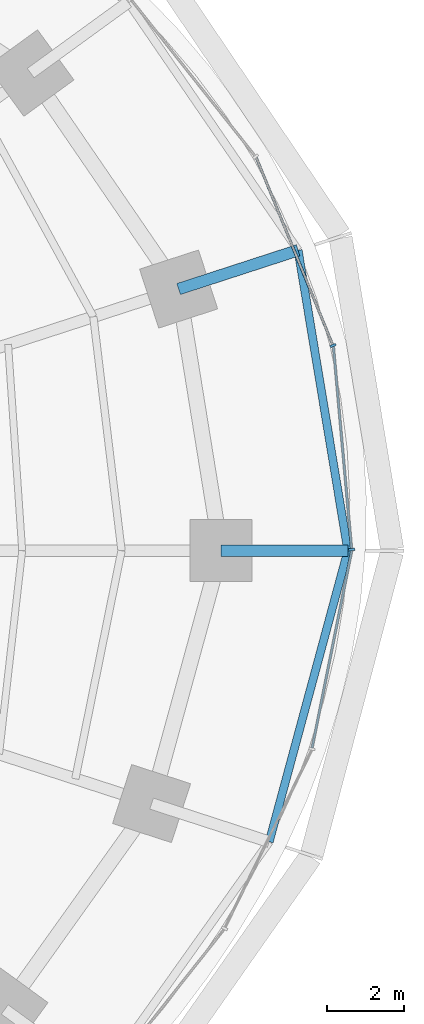
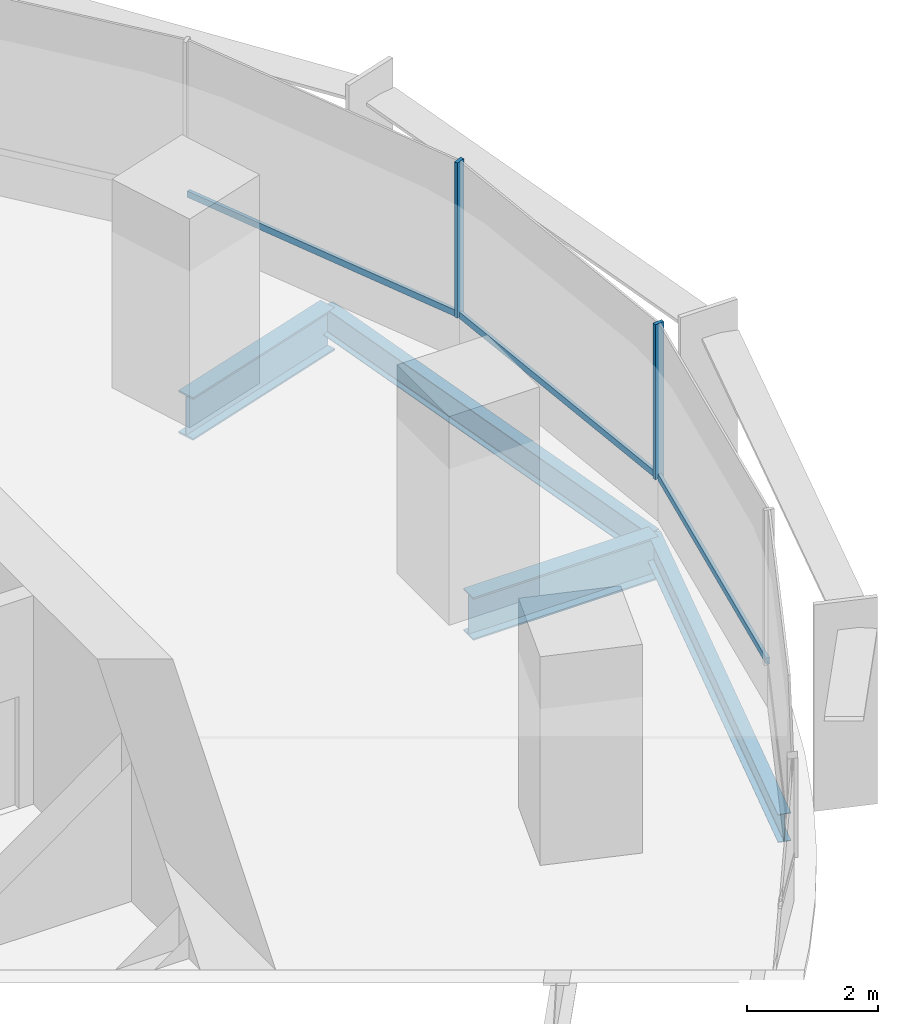
# One storey, part 6 of 14: 5 members, 4 beams, 2 elements without a shape of their own.
"""IFC4 building model written with IfcOpenShell, lengths in metres."""

from ifc_helpers import new_model, si_unit, direction, frame, origin, origin_2d, place, context, subcontext, project, spatial, rectangle, i_section, extrude, material, material_profile, profile_set, type_object, element, aggregate, save


model = new_model("IFC4")

# Units and contexts
model_context = context("Model", 3, precision=1e-05, world=origin(), true_north=direction((0.0, 1.0)))
body_context = subcontext(model_context, "Body", "Model", "MODEL_VIEW")
ifc_project = project(units=[si_unit("LENGTHUNIT", "METRE"), si_unit("AREAUNIT", "SQUARE_METRE"), si_unit("VOLUMEUNIT", "CUBIC_METRE"), si_unit("PLANEANGLEUNIT", "RADIAN"), si_unit("MASSUNIT", "GRAM", prefix="KILO")], contexts=[model_context])

# Site, building, storey
site_placement = place(None, origin())
site = spatial("IfcSite", under=ifc_project, at=site_placement, CompositionType="ELEMENT")
building_placement = place(site_placement, origin())
building = spatial("IfcBuilding", under=site, at=building_placement, Name="Marramba Exchange Tower", CompositionType="ELEMENT")
storey_placement = place(building_placement, frame((0.0, 0.0, 162.60009765625)))
storey = spatial("IfcBuildingStorey", under=building, at=storey_placement, Name="L39", CompositionType="ELEMENT", Elevation=162.60009765625)

# Beams
ifc_material_1 = material(Name="Steel AS/NZS 3679.2 grade 300", Category="steel")
ifc_material_profile_1 = material_profile(ifc_material_1, i_section(OverallWidth=0.300048828125, OverallDepth=0.800048828125, WebThickness=0.013916015625, FlangeThickness=0.031982421875, at=origin_2d()), Name="800WB192")
ifc_profile_set_1 = profile_set([ifc_material_profile_1], Name="Steel AS/NZS 3679.2 grade 300")
beam_type_1 = type_object("IfcBeamType", Name="Cantilever girder 800WB192", PredefinedType="BEAM", material=ifc_profile_set_1)
beam_1_placement = place(storey_placement, frame((21.89990234375, 0.0, -0.56005859375), z_axis=(1.0, 0.0, 0.0), x_axis=(0.0, 1.0, 0.0)))
element("IfcBeam", 1, at=beam_1_placement, inside=storey, type_object=beam_type_1, Name="Cantilever girder L39 TC01", PredefinedType="BEAM", context=body_context, shape_type="SweptSolid", body=[
    extrude(i_section(OverallWidth=0.300048828125, OverallDepth=0.800048828125, WebThickness=0.013916015625, FlangeThickness=0.031982421875, at=origin_2d()), origin(), (0.0, 0.0, 1.0), 3.281982421875),
])
beam_2_placement = place(storey_placement, frame((20.808349609375, 6.760986328125, -0.56005859375), z_axis=(0.95105562578, 0.309019735087, 0.0), x_axis=(-0.309019735087, 0.95105562578, 0.0)))
element("IfcBeam", 2, at=beam_2_placement, inside=storey, type_object=beam_type_1, Name="Cantilever girder L39 TC02", PredefinedType="BEAM", context=body_context, shape_type="SweptSolid", body=[
    extrude(i_section(OverallWidth=0.300048828125, OverallDepth=0.800048828125, WebThickness=0.013916015625, FlangeThickness=0.031982421875, at=origin_2d()), origin(), (0.0, 0.0, 1.0), 3.24560546875),
])

# Curtain wall, members
ifc_material_2 = material(Name="Aluminium framing, bronze anodised", Category="aluminium")
curtain_wall_type = type_object("IfcCurtainWallType", Name="Office ribbon curtain wall", PredefinedType="USERDEFINED", material=ifc_material_2)
curtain_wall_1_placement = place(storey_placement, origin())
curtain_wall_1 = element("IfcCurtainWall", 3, at=curtain_wall_1_placement, inside=storey, type_object=curtain_wall_type, Name="Curtain wall CW4 L39 F01-F05", ObjectType="RIBBON CURTAIN WALL", PredefinedType="USERDEFINED")
ifc_material_3 = material(Name="Aluminium mullion, bronze anodised", Category="aluminium")
ifc_material_profile_2 = material_profile(ifc_material_3, rectangle(XDim=0.159912109375, YDim=0.06005859375, at=origin_2d()), Name="CW4 mullion 60x160")
ifc_profile_set_2 = profile_set([ifc_material_profile_2], Name="Aluminium mullion, bronze anodised")
member_type_1 = type_object("IfcMemberType", Name="Office ribbon curtain wall mullion", PredefinedType="MULLION", material=ifc_profile_set_2)
member_1_placement = place(storey_placement, frame((25.279296875, 0.02978515625, 0.7998046875), z_axis=(0.0, 0.0, 1.0), x_axis=(-0.995994646311, -0.089412887889, 0.0)))
member_1 = element("IfcMember", 4, at=member_1_placement, type_object=member_type_1, Name="CW4 mullion 1", PredefinedType="MULLION", context=body_context, shape_type="SweptSolid", body=[
    extrude(rectangle(XDim=0.159912109375, YDim=0.06005859375, at=origin_2d()), origin(), (0.0, 0.0, 1.0), 2.900146484375),
])
member_2_placement = place(storey_placement, frame((24.79736328125, 5.301025390625, 0.7998046875), z_axis=(0.0, 0.0, 1.0), x_axis=(-0.925878584668, -0.377821183171, 0.0)))
member_2 = element("IfcMember", 5, at=member_2_placement, type_object=member_type_1, Name="CW4 mullion 1", PredefinedType="MULLION", context=body_context, shape_type="SweptSolid", body=[
    extrude(rectangle(XDim=0.159912109375, YDim=0.06005859375, at=origin_2d()), origin(), (0.0, 0.0, 1.0), 2.900146484375),
])
ifc_material_4 = material(Name="Aluminium transom, bronze anodised", Category="aluminium")
ifc_material_profile_3 = material_profile(ifc_material_4, rectangle(XDim=0.06005859375, YDim=0.1201171875, at=origin_2d()), Name="CW4 transom 60x120")
ifc_profile_set_3 = profile_set([ifc_material_profile_3], Name="Aluminium transom, bronze anodised")
member_type_2 = type_object("IfcMemberType", Name="Office ribbon curtain wall transom", PredefinedType="USERDEFINED", material=ifc_profile_set_3)
member_3_placement = place(storey_placement, frame((25.276611328125, 0.059814453125, 0.829833984375), z_axis=(-0.089412838135, 0.995994650777, 0.0), x_axis=(-0.995994650777, -0.089412838135, 0.0)))
member_3 = element("IfcMember", 6, at=member_3_placement, type_object=member_type_2, Name="CW4 sill transom", ObjectType="TRANSOM", PredefinedType="USERDEFINED", context=body_context, shape_type="SweptSolid", body=[
    extrude(rectangle(XDim=0.06005859375, YDim=0.1201171875, at=origin_2d()), origin(), (0.0, 0.0, 1.0), 5.234375),
])
member_4_placement = place(storey_placement, frame((24.785888671875, 5.328857421875, 0.829833984375), z_axis=(-0.377838039034, 0.925871706155, 0.0), x_axis=(-0.925871706155, -0.377838039034, 0.0)))
member_4 = element("IfcMember", 7, at=member_4_placement, type_object=member_type_2, Name="CW4 sill transom", ObjectType="TRANSOM", PredefinedType="USERDEFINED", context=body_context, shape_type="SweptSolid", body=[
    extrude(rectangle(XDim=0.06005859375, YDim=0.1201171875, at=origin_2d()), origin(), (0.0, 0.0, 1.0), 5.2158203125),
])
aggregate(curtain_wall_1, [member_1, member_3, member_2, member_4])

# Curtain wall, member
curtain_wall_2_placement = place(storey_placement, origin())
curtain_wall_2 = element("IfcCurtainWall", 8, at=curtain_wall_2_placement, inside=storey, type_object=curtain_wall_type, Name="Curtain wall CW4 L39 F26-F30", ObjectType="RIBBON CURTAIN WALL", PredefinedType="USERDEFINED")
member_5_placement = place(storey_placement, frame((24.258056640625, -5.094970703125, 0.829833984375), z_axis=(0.197028520451, 0.980397757101, 0.0), x_axis=(-0.980397757101, 0.197028520451, 0.0)))
member_5 = element("IfcMember", 9, at=member_5_placement, type_object=member_type_2, Name="CW4 sill transom", ObjectType="TRANSOM", PredefinedType="USERDEFINED", context=body_context, shape_type="SweptSolid", body=[
    extrude(rectangle(XDim=0.06005859375, YDim=0.1201171875, at=origin_2d()), origin(), (0.0, 0.0, 1.0), 5.19677734375),
])
aggregate(curtain_wall_2, [member_5])

# Beams
ifc_material_5 = material(Name="Steel AS/NZS 3679.1 grade 300", Category="steel")
ifc_material_profile_4 = material_profile(ifc_material_5, i_section(OverallWidth=0.208984375, OverallDepth=0.528076171875, WebThickness=0.009521484375, FlangeThickness=0.01318359375, FilletRadius=0.013916015625, at=origin_2d()), Name="530UB82.0")
ifc_profile_set_4 = profile_set([ifc_material_profile_4], Name="Steel AS/NZS 3679.1 grade 300")
beam_type_2 = type_object("IfcBeamType", Name="Slab edge beam 530UB82.0", PredefinedType="SPANDREL", material=ifc_profile_set_4)
beam_3_placement = place(storey_placement, frame((25.181884765625, 0.0, -0.424072265625), z_axis=(-0.163518559175, 0.986540258076, 0.0), x_axis=(-0.986540258076, -0.163518559175, 0.0)))
element("IfcBeam", 10, at=beam_3_placement, inside=storey, type_object=beam_type_2, Name="Slab edge beam L39 TC01-TC02", PredefinedType="SPANDREL", context=body_context, shape_type="SweptSolid", body=[
    extrude(i_section(OverallWidth=0.208984375, OverallDepth=0.528076171875, WebThickness=0.009521484375, FlangeThickness=0.01318359375, FilletRadius=0.013916015625, at=origin_2d()), origin(), (0.0, 0.0, 1.0), 7.869873046875),
])
beam_4_placement = place(storey_placement, frame((23.148681640625, -7.521484375, -0.424072265625), z_axis=(0.260953221575, 0.965351446961, 0.0), x_axis=(-0.965351446961, 0.260953221575, 0.0)))
element("IfcBeam", 11, at=beam_4_placement, inside=storey, type_object=beam_type_2, Name="Slab edge beam L39 TC20-TC01", PredefinedType="SPANDREL", context=body_context, shape_type="SweptSolid", body=[
    extrude(i_section(OverallWidth=0.208984375, OverallDepth=0.528076171875, WebThickness=0.009521484375, FlangeThickness=0.01318359375, FilletRadius=0.013916015625, at=origin_2d()), origin(), (0.0, 0.0, 1.0), 7.79150390625),
])

save(model, "model.ifc")
